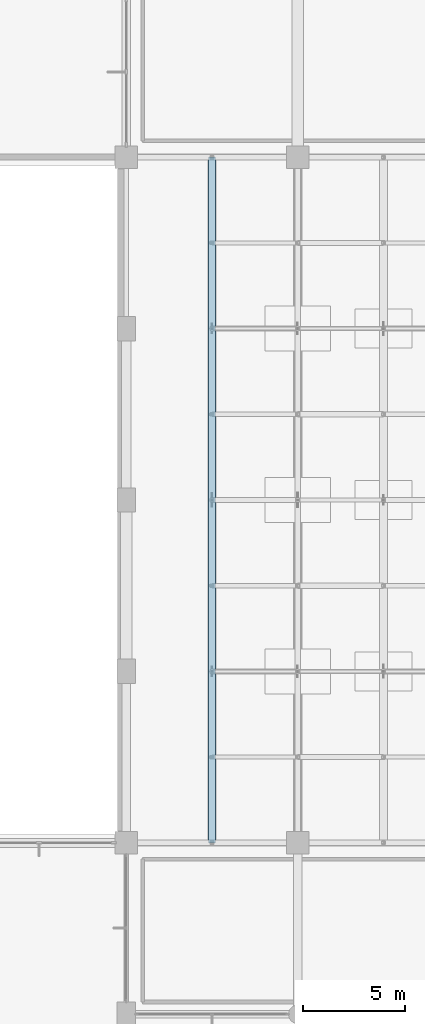
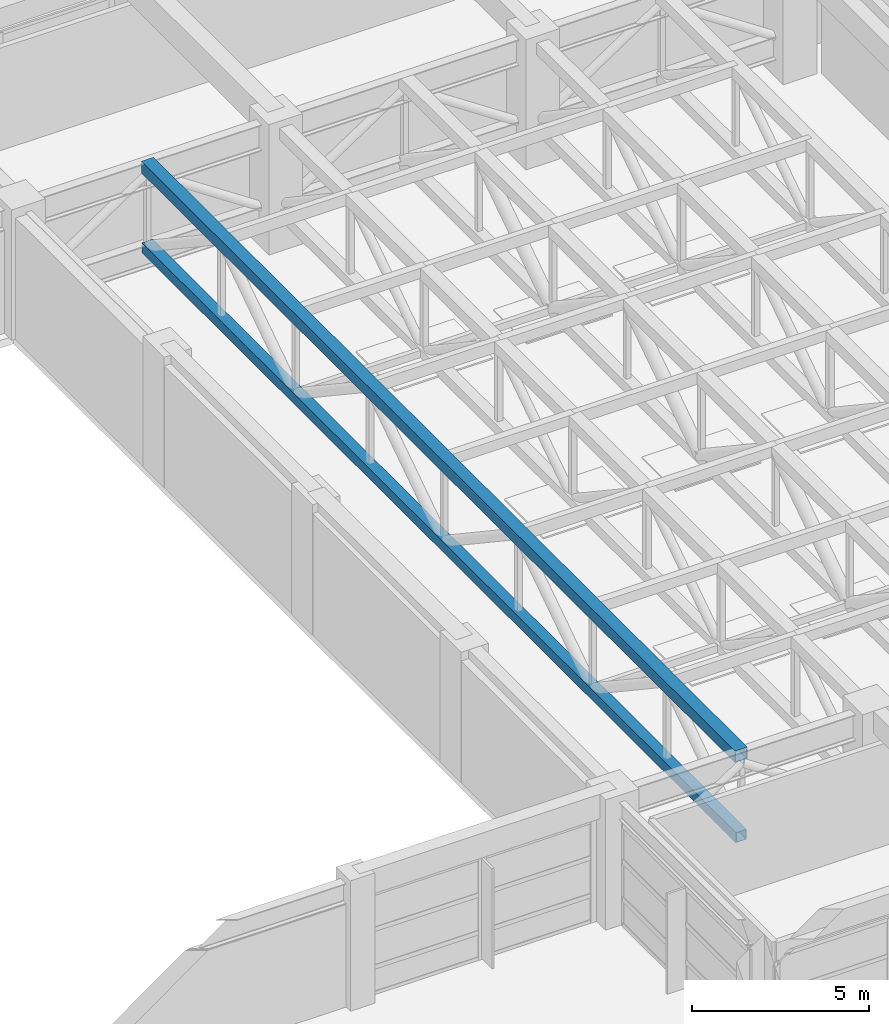
# One storey, part 12 of 47: 2 beams.
"""IFC4 building model written with IfcOpenShell, lengths in metres."""

from ifc_helpers import new_model, si_unit, direction, frame, origin, origin_2d, place, context, subcontext, project, spatial, hollow_rectangle, extrude, material, material_profile, profile_set, type_object, element, save


model = new_model("IFC4")

# Units and contexts
model_context = context("Model", 3, precision=1e-05, world=origin(), true_north=direction((0.0, 1.0)))
body_context = subcontext(model_context, "Body", "Model", "MODEL_VIEW")
ifc_project = project(units=[si_unit("LENGTHUNIT", "METRE"), si_unit("AREAUNIT", "SQUARE_METRE"), si_unit("VOLUMEUNIT", "CUBIC_METRE"), si_unit("PLANEANGLEUNIT", "RADIAN"), si_unit("MASSUNIT", "GRAM", prefix="KILO")], contexts=[model_context])

# Site, building, storey
site_placement = place(None, origin())
site = spatial("IfcSite", under=ifc_project, at=site_placement, CompositionType="ELEMENT")
building_placement = place(site_placement, origin())
building = spatial("IfcBuilding", under=site, at=building_placement, Name="Xuanlan Plaza Opera House", CompositionType="ELEMENT")
storey_placement = place(building_placement, frame((0.0, 0.0, 23.39990234375)))
storey = spatial("IfcBuildingStorey", under=building, at=storey_placement, Name="L05", CompositionType="ELEMENT", Elevation=23.39990234375)

# Beams
ifc_material = material(Name="Steel Q390B", Category="steel")
ifc_material_profile_1 = material_profile(ifc_material, hollow_rectangle(XDim=0.39990234375, YDim=0.39990234375, WallThickness=0.02001953125, at=origin_2d()), Name="SHS 400x400x20")
ifc_profile_set_1 = profile_set([ifc_material_profile_1], Name="Steel Q390B")
beam_type_1 = type_object("IfcBeamType", Name="STR-BM-TCH-03", PredefinedType="BEAM", material=ifc_profile_set_1)
beam_1_placement = place(storey_placement, frame((71.39990234375, 42.0, 4.05908203125), z_axis=(0.0, 1.0, 0.0), x_axis=(-1.0, 0.0, 0.0)))
element("IfcBeam", 1, at=beam_1_placement, inside=storey, type_object=beam_type_1, Name="Auditorium Roof Truss AUD-01 Top Chord Girder", PredefinedType="BEAM", context=body_context, shape_type="SweptSolid", body=[
    extrude(hollow_rectangle(XDim=0.39990234375, YDim=0.39990234375, WallThickness=0.02001953125, at=origin_2d()), origin(), (0.0, 0.0, 1.0), 33.60009765625),
])
ifc_material_profile_2 = material_profile(ifc_material, hollow_rectangle(XDim=0.35009765625, YDim=0.35009765625, WallThickness=0.01611328125, at=origin_2d()), Name="SHS 350x350x16")
ifc_profile_set_2 = profile_set([ifc_material_profile_2], Name="Steel Q390B")
beam_type_2 = type_object("IfcBeamType", Name="STR-BM-TCH-04", PredefinedType="BEAM", material=ifc_profile_set_2)
beam_2_placement = place(storey_placement, frame((71.39990234375, 42.0, 1.259033203125), z_axis=(0.0, 1.0, 0.0), x_axis=(-1.0, 0.0, 0.0)))
element("IfcBeam", 2, at=beam_2_placement, inside=storey, type_object=beam_type_2, Name="Auditorium Roof Truss AUD-01 Bottom Chord Girder", PredefinedType="BEAM", context=body_context, shape_type="SweptSolid", body=[
    extrude(hollow_rectangle(XDim=0.35009765625, YDim=0.35009765625, WallThickness=0.01611328125, at=origin_2d()), origin(), (0.0, 0.0, 1.0), 33.60009765625),
])

save(model, "model.ifc")
